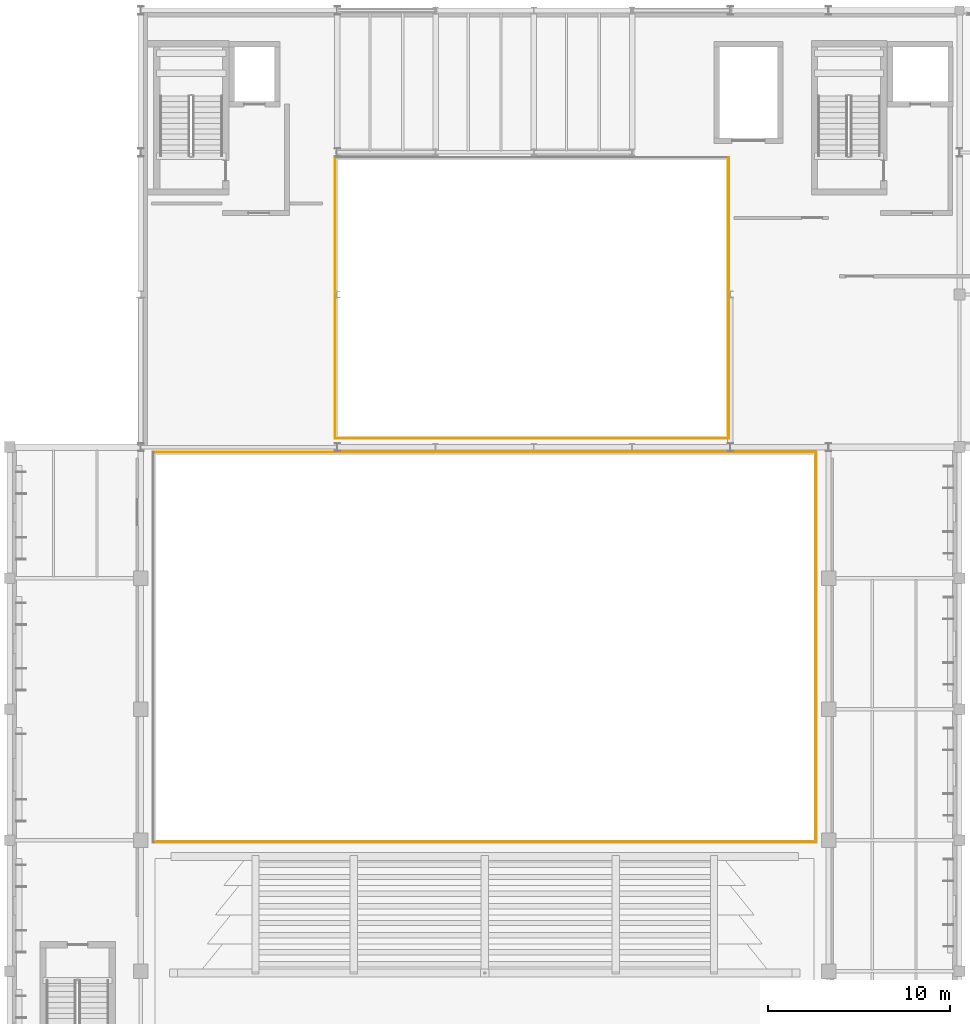
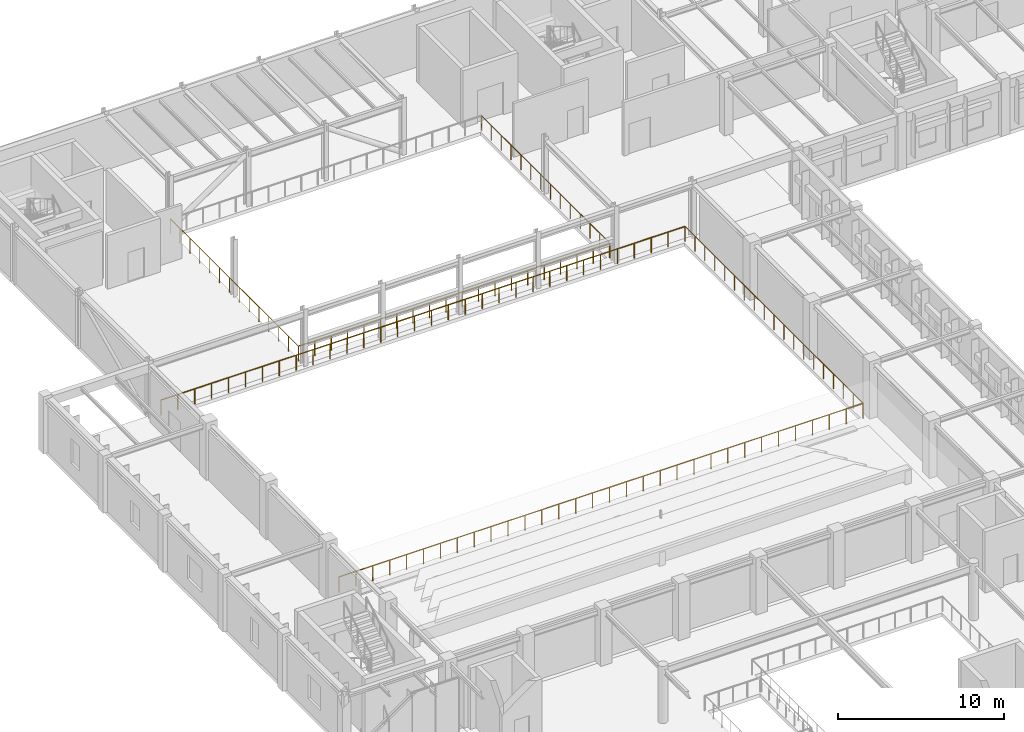
# One storey, part 99 of 104: 6 railings.
"""IFC4 building model written with IfcOpenShell, lengths in metres."""

from ifc_helpers import new_model, si_unit, direction, frame, origin, origin_2d, place, context, subcontext, project, spatial, circle, extrude, material, material_profile, profile_set, type_object, element, save


model = new_model("IFC4")

# Units and contexts
model_context = context("Model", 3, precision=1e-05, world=origin(), true_north=direction((0.0, 1.0)))
body_context = subcontext(model_context, "Body", "Model", "MODEL_VIEW")
ifc_project = project(units=[si_unit("LENGTHUNIT", "METRE"), si_unit("AREAUNIT", "SQUARE_METRE"), si_unit("VOLUMEUNIT", "CUBIC_METRE"), si_unit("PLANEANGLEUNIT", "RADIAN"), si_unit("MASSUNIT", "GRAM", prefix="KILO")], contexts=[model_context])

# Site, building, storey
site_placement = place(None, origin())
site = spatial("IfcSite", under=ifc_project, at=site_placement, CompositionType="ELEMENT")
building_placement = place(site_placement, origin())
building = spatial("IfcBuilding", under=site, at=building_placement, Name="Tazoul Stagehouse", CompositionType="ELEMENT")
storey_placement = place(building_placement, frame((0.0, 0.0, 9.0)))
storey = spatial("IfcBuildingStorey", under=building, at=storey_placement, Name="L02", CompositionType="ELEMENT", Elevation=9.0)

# Railings
ifc_material = material(Name="Brushed Stainless Steel 316L", Category="steel")
ifc_material_profile = material_profile(ifc_material, circle(Radius=0.02392578125, at=origin_2d()), Name="SS RAIL D48")
ifc_profile_set = profile_set([ifc_material_profile], Name="Brushed Stainless Steel 316L")
railing_type = type_object("IfcRailingType", Name="Architectural Guardrail H1120", PredefinedType="GUARDRAIL", material=ifc_profile_set)
railing_1_placement = place(storey_placement, frame((58.280029296875, 66.080078125, 0.0)))
element("IfcRailing", 1, at=railing_1_placement, inside=storey, type_object=railing_type, Name="L02 Open-Edge Guard GRD-01 (GRD-VOID1-S1)", PredefinedType="GUARDRAIL", context=body_context, shape_type="SweptSolid", body=[
    extrude(circle(Radius=0.02392578125, at=origin_2d()), frame((0.0, 0.0, 1.09619140625), z_axis=(1.0, 0.0, 0.0), x_axis=(0.0, 1.0, 0.0)), (0.0, 0.0, 1.0), 36.43994140625),
    extrude(circle(Radius=0.02099609375, at=origin_2d()), origin(), (0.0, 0.0, 1.0), 1.072021484375),
    extrude(circle(Radius=0.02099609375, at=origin_2d()), frame((1.175537109375, 0.0, 0.0)), (0.0, 0.0, 1.0), 1.072021484375),
    extrude(circle(Radius=0.02099609375, at=origin_2d()), frame((2.35107421875, 0.0, 0.0)), (0.0, 0.0, 1.0), 1.072021484375),
    extrude(circle(Radius=0.02099609375, at=origin_2d()), frame((3.5263671875, 0.0, 0.0)), (0.0, 0.0, 1.0), 1.072021484375),
    extrude(circle(Radius=0.02099609375, at=origin_2d()), frame((4.701904296875, 0.0, 0.0)), (0.0, 0.0, 1.0), 1.072021484375),
    extrude(circle(Radius=0.02099609375, at=origin_2d()), frame((5.87744140625, 0.0, 0.0)), (0.0, 0.0, 1.0), 1.072021484375),
    extrude(circle(Radius=0.02099609375, at=origin_2d()), frame((7.052978515625, 0.0, 0.0)), (0.0, 0.0, 1.0), 1.072021484375),
    extrude(circle(Radius=0.02099609375, at=origin_2d()), frame((8.228271484375, 0.0, 0.0)), (0.0, 0.0, 1.0), 1.072021484375),
    extrude(circle(Radius=0.02099609375, at=origin_2d()), frame((9.40380859375, 0.0, 0.0)), (0.0, 0.0, 1.0), 1.072021484375),
    extrude(circle(Radius=0.02099609375, at=origin_2d()), frame((10.579345703125, 0.0, 0.0)), (0.0, 0.0, 1.0), 1.072021484375),
    extrude(circle(Radius=0.02099609375, at=origin_2d()), frame((11.7548828125, 0.0, 0.0)), (0.0, 0.0, 1.0), 1.072021484375),
    extrude(circle(Radius=0.02099609375, at=origin_2d()), frame((12.930419921875, 0.0, 0.0)), (0.0, 0.0, 1.0), 1.072021484375),
    extrude(circle(Radius=0.02099609375, at=origin_2d()), frame((14.105712890625, 0.0, 0.0)), (0.0, 0.0, 1.0), 1.072021484375),
    extrude(circle(Radius=0.02099609375, at=origin_2d()), frame((15.28125, 0.0, 0.0)), (0.0, 0.0, 1.0), 1.072021484375),
    extrude(circle(Radius=0.02099609375, at=origin_2d()), frame((16.456787109375, 0.0, 0.0)), (0.0, 0.0, 1.0), 1.072021484375),
    extrude(circle(Radius=0.02099609375, at=origin_2d()), frame((17.63232421875, 0.0, 0.0)), (0.0, 0.0, 1.0), 1.072021484375),
    extrude(circle(Radius=0.02099609375, at=origin_2d()), frame((18.8076171875, 0.0, 0.0)), (0.0, 0.0, 1.0), 1.072021484375),
    extrude(circle(Radius=0.02099609375, at=origin_2d()), frame((19.983154296875, 0.0, 0.0)), (0.0, 0.0, 1.0), 1.072021484375),
    extrude(circle(Radius=0.02099609375, at=origin_2d()), frame((21.15869140625, 0.0, 0.0)), (0.0, 0.0, 1.0), 1.072021484375),
    extrude(circle(Radius=0.02099609375, at=origin_2d()), frame((22.334228515625, 0.0, 0.0)), (0.0, 0.0, 1.0), 1.072021484375),
    extrude(circle(Radius=0.02099609375, at=origin_2d()), frame((23.509521484375, 0.0, 0.0)), (0.0, 0.0, 1.0), 1.072021484375),
    extrude(circle(Radius=0.02099609375, at=origin_2d()), frame((24.68505859375, 0.0, 0.0)), (0.0, 0.0, 1.0), 1.072021484375),
    extrude(circle(Radius=0.02099609375, at=origin_2d()), frame((25.860595703125, 0.0, 0.0)), (0.0, 0.0, 1.0), 1.072021484375),
    extrude(circle(Radius=0.02099609375, at=origin_2d()), frame((27.0361328125, 0.0, 0.0)), (0.0, 0.0, 1.0), 1.072021484375),
    extrude(circle(Radius=0.02099609375, at=origin_2d()), frame((28.211669921875, 0.0, 0.0)), (0.0, 0.0, 1.0), 1.072021484375),
    extrude(circle(Radius=0.02099609375, at=origin_2d()), frame((29.386962890625, 0.0, 0.0)), (0.0, 0.0, 1.0), 1.072021484375),
    extrude(circle(Radius=0.02099609375, at=origin_2d()), frame((30.5625, 0.0, 0.0)), (0.0, 0.0, 1.0), 1.072021484375),
    extrude(circle(Radius=0.02099609375, at=origin_2d()), frame((31.738037109375, 0.0, 0.0)), (0.0, 0.0, 1.0), 1.072021484375),
    extrude(circle(Radius=0.02099609375, at=origin_2d()), frame((32.91357421875, 0.0, 0.0)), (0.0, 0.0, 1.0), 1.072021484375),
    extrude(circle(Radius=0.02099609375, at=origin_2d()), frame((34.0888671875, 0.0, 0.0)), (0.0, 0.0, 1.0), 1.072021484375),
    extrude(circle(Radius=0.02099609375, at=origin_2d()), frame((35.264404296875, 0.0, 0.0)), (0.0, 0.0, 1.0), 1.072021484375),
    extrude(circle(Radius=0.02099609375, at=origin_2d()), frame((36.43994140625, 0.0, 0.0)), (0.0, 0.0, 1.0), 1.072021484375),
])
railing_2_placement = place(storey_placement, frame((94.719970703125, 66.080078125, 0.0)))
element("IfcRailing", 2, at=railing_2_placement, inside=storey, type_object=railing_type, Name="L02 Open-Edge Guard GRD-01 (GRD-VOID1-E1)", PredefinedType="GUARDRAIL", context=body_context, shape_type="SweptSolid", body=[
    extrude(circle(Radius=0.02392578125, at=origin_2d()), frame((0.0, 0.0, 1.09619140625), z_axis=(0.0, 1.0, 0.0), x_axis=(-1.0, 0.0, 0.0)), (0.0, 0.0, 1.0), 21.43994140625),
    extrude(circle(Radius=0.02099609375, at=origin_2d()), origin(), (0.0, 0.0, 1.0), 1.072021484375),
    extrude(circle(Radius=0.02099609375, at=origin_2d()), frame((0.0, 1.191162109375, 0.0)), (0.0, 0.0, 1.0), 1.072021484375),
    extrude(circle(Radius=0.02099609375, at=origin_2d()), frame((0.0, 2.38232421875, 0.0)), (0.0, 0.0, 1.0), 1.072021484375),
    extrude(circle(Radius=0.02099609375, at=origin_2d()), frame((0.0, 3.5732421875, 0.0)), (0.0, 0.0, 1.0), 1.072021484375),
    extrude(circle(Radius=0.02099609375, at=origin_2d()), frame((0.0, 4.764404296875, 0.0)), (0.0, 0.0, 1.0), 1.072021484375),
    extrude(circle(Radius=0.02099609375, at=origin_2d()), frame((0.0, 5.95556640625, 0.0)), (0.0, 0.0, 1.0), 1.072021484375),
    extrude(circle(Radius=0.02099609375, at=origin_2d()), frame((0.0, 7.146728515625, 0.0)), (0.0, 0.0, 1.0), 1.072021484375),
    extrude(circle(Radius=0.02099609375, at=origin_2d()), frame((0.0, 8.337646484375, 0.0)), (0.0, 0.0, 1.0), 1.072021484375),
    extrude(circle(Radius=0.02099609375, at=origin_2d()), frame((0.0, 9.52880859375, 0.0)), (0.0, 0.0, 1.0), 1.072021484375),
    extrude(circle(Radius=0.02099609375, at=origin_2d()), frame((0.0, 10.719970703125, 0.0)), (0.0, 0.0, 1.0), 1.072021484375),
    extrude(circle(Radius=0.02099609375, at=origin_2d()), frame((0.0, 11.9111328125, 0.0)), (0.0, 0.0, 1.0), 1.072021484375),
    extrude(circle(Radius=0.02099609375, at=origin_2d()), frame((0.0, 13.102294921875, 0.0)), (0.0, 0.0, 1.0), 1.072021484375),
    extrude(circle(Radius=0.02099609375, at=origin_2d()), frame((0.0, 14.293212890625, 0.0)), (0.0, 0.0, 1.0), 1.072021484375),
    extrude(circle(Radius=0.02099609375, at=origin_2d()), frame((0.0, 15.484375, 0.0)), (0.0, 0.0, 1.0), 1.072021484375),
    extrude(circle(Radius=0.02099609375, at=origin_2d()), frame((0.0, 16.675537109375, 0.0)), (0.0, 0.0, 1.0), 1.072021484375),
    extrude(circle(Radius=0.02099609375, at=origin_2d()), frame((0.0, 17.86669921875, 0.0)), (0.0, 0.0, 1.0), 1.072021484375),
    extrude(circle(Radius=0.02099609375, at=origin_2d()), frame((0.0, 19.0576171875, 0.0)), (0.0, 0.0, 1.0), 1.072021484375),
    extrude(circle(Radius=0.02099609375, at=origin_2d()), frame((0.0, 20.248779296875, 0.0)), (0.0, 0.0, 1.0), 1.072021484375),
    extrude(circle(Radius=0.02099609375, at=origin_2d()), frame((0.0, 21.43994140625, 0.0)), (0.0, 0.0, 1.0), 1.072021484375),
])
railing_3_placement = place(storey_placement, frame((94.719970703125, 87.52001953125, 0.0)))
element("IfcRailing", 3, at=railing_3_placement, inside=storey, type_object=railing_type, Name="L02 Open-Edge Guard GRD-01 (GRD-VOID1-N1)", PredefinedType="GUARDRAIL", context=body_context, shape_type="SweptSolid", body=[
    extrude(circle(Radius=0.02392578125, at=origin_2d()), frame((0.0, 0.0, 1.09619140625), z_axis=(-1.0, 0.0, 0.0), x_axis=(0.0, -1.0, 0.0)), (0.0, 0.0, 1.0), 36.43994140625),
    extrude(circle(Radius=0.02099609375, at=origin_2d()), origin(), (0.0, 0.0, 1.0), 1.072021484375),
    extrude(circle(Radius=0.02099609375, at=origin_2d()), frame((-1.175537109375, 0.0, 0.0)), (0.0, 0.0, 1.0), 1.072021484375),
    extrude(circle(Radius=0.02099609375, at=origin_2d()), frame((-2.35107421875, 0.0, 0.0)), (0.0, 0.0, 1.0), 1.072021484375),
    extrude(circle(Radius=0.02099609375, at=origin_2d()), frame((-3.5263671875, 0.0, 0.0)), (0.0, 0.0, 1.0), 1.072021484375),
    extrude(circle(Radius=0.02099609375, at=origin_2d()), frame((-4.701904296875, 0.0, 0.0)), (0.0, 0.0, 1.0), 1.072021484375),
    extrude(circle(Radius=0.02099609375, at=origin_2d()), frame((-5.87744140625, 0.0, 0.0)), (0.0, 0.0, 1.0), 1.072021484375),
    extrude(circle(Radius=0.02099609375, at=origin_2d()), frame((-7.052978515625, 0.0, 0.0)), (0.0, 0.0, 1.0), 1.072021484375),
    extrude(circle(Radius=0.02099609375, at=origin_2d()), frame((-8.228271484375, 0.0, 0.0)), (0.0, 0.0, 1.0), 1.072021484375),
    extrude(circle(Radius=0.02099609375, at=origin_2d()), frame((-9.40380859375, 0.0, 0.0)), (0.0, 0.0, 1.0), 1.072021484375),
    extrude(circle(Radius=0.02099609375, at=origin_2d()), frame((-10.579345703125, 0.0, 0.0)), (0.0, 0.0, 1.0), 1.072021484375),
    extrude(circle(Radius=0.02099609375, at=origin_2d()), frame((-11.7548828125, 0.0, 0.0)), (0.0, 0.0, 1.0), 1.072021484375),
    extrude(circle(Radius=0.02099609375, at=origin_2d()), frame((-12.930419921875, 0.0, 0.0)), (0.0, 0.0, 1.0), 1.072021484375),
    extrude(circle(Radius=0.02099609375, at=origin_2d()), frame((-14.105712890625, 0.0, 0.0)), (0.0, 0.0, 1.0), 1.072021484375),
    extrude(circle(Radius=0.02099609375, at=origin_2d()), frame((-15.28125, 0.0, 0.0)), (0.0, 0.0, 1.0), 1.072021484375),
    extrude(circle(Radius=0.02099609375, at=origin_2d()), frame((-16.456787109375, 0.0, 0.0)), (0.0, 0.0, 1.0), 1.072021484375),
    extrude(circle(Radius=0.02099609375, at=origin_2d()), frame((-17.63232421875, 0.0, 0.0)), (0.0, 0.0, 1.0), 1.072021484375),
    extrude(circle(Radius=0.02099609375, at=origin_2d()), frame((-18.8076171875, 0.0, 0.0)), (0.0, 0.0, 1.0), 1.072021484375),
    extrude(circle(Radius=0.02099609375, at=origin_2d()), frame((-19.983154296875, 0.0, 0.0)), (0.0, 0.0, 1.0), 1.072021484375),
    extrude(circle(Radius=0.02099609375, at=origin_2d()), frame((-21.15869140625, 0.0, 0.0)), (0.0, 0.0, 1.0), 1.072021484375),
    extrude(circle(Radius=0.02099609375, at=origin_2d()), frame((-22.334228515625, 0.0, 0.0)), (0.0, 0.0, 1.0), 1.072021484375),
    extrude(circle(Radius=0.02099609375, at=origin_2d()), frame((-23.509521484375, 0.0, 0.0)), (0.0, 0.0, 1.0), 1.072021484375),
    extrude(circle(Radius=0.02099609375, at=origin_2d()), frame((-24.68505859375, 0.0, 0.0)), (0.0, 0.0, 1.0), 1.072021484375),
    extrude(circle(Radius=0.02099609375, at=origin_2d()), frame((-25.860595703125, 0.0, 0.0)), (0.0, 0.0, 1.0), 1.072021484375),
    extrude(circle(Radius=0.02099609375, at=origin_2d()), frame((-27.0361328125, 0.0, 0.0)), (0.0, 0.0, 1.0), 1.072021484375),
    extrude(circle(Radius=0.02099609375, at=origin_2d()), frame((-28.211669921875, 0.0, 0.0)), (0.0, 0.0, 1.0), 1.072021484375),
    extrude(circle(Radius=0.02099609375, at=origin_2d()), frame((-29.386962890625, 0.0, 0.0)), (0.0, 0.0, 1.0), 1.072021484375),
    extrude(circle(Radius=0.02099609375, at=origin_2d()), frame((-30.5625, 0.0, 0.0)), (0.0, 0.0, 1.0), 1.072021484375),
    extrude(circle(Radius=0.02099609375, at=origin_2d()), frame((-31.738037109375, 0.0, 0.0)), (0.0, 0.0, 1.0), 1.072021484375),
    extrude(circle(Radius=0.02099609375, at=origin_2d()), frame((-32.91357421875, 0.0, 0.0)), (0.0, 0.0, 1.0), 1.072021484375),
    extrude(circle(Radius=0.02099609375, at=origin_2d()), frame((-34.0888671875, 0.0, 0.0)), (0.0, 0.0, 1.0), 1.072021484375),
    extrude(circle(Radius=0.02099609375, at=origin_2d()), frame((-35.264404296875, 0.0, 0.0)), (0.0, 0.0, 1.0), 1.072021484375),
    extrude(circle(Radius=0.02099609375, at=origin_2d()), frame((-36.43994140625, 0.0, 0.0)), (0.0, 0.0, 1.0), 1.072021484375),
])
railing_4_placement = place(storey_placement, frame((68.280029296875, 88.280029296875, 0.0)))
element("IfcRailing", 4, at=railing_4_placement, inside=storey, type_object=railing_type, Name="L02 Open-Edge Guard GRD-01 (GRD-VOID2-S1)", PredefinedType="GUARDRAIL", context=body_context, shape_type="SweptSolid", body=[
    extrude(circle(Radius=0.02392578125, at=origin_2d()), frame((0.0, 0.0, 1.09619140625), z_axis=(1.0, 0.0, 0.0), x_axis=(0.0, 1.0, 0.0)), (0.0, 0.0, 1.0), 21.639892578125),
    extrude(circle(Radius=0.02099609375, at=origin_2d()), origin(), (0.0, 0.0, 1.0), 1.072021484375),
    extrude(circle(Radius=0.02099609375, at=origin_2d()), frame((1.138916015625, 0.0, 0.0)), (0.0, 0.0, 1.0), 1.072021484375),
    extrude(circle(Radius=0.02099609375, at=origin_2d()), frame((2.27783203125, 0.0, 0.0)), (0.0, 0.0, 1.0), 1.072021484375),
    extrude(circle(Radius=0.02099609375, at=origin_2d()), frame((3.416748046875, 0.0, 0.0)), (0.0, 0.0, 1.0), 1.072021484375),
    extrude(circle(Radius=0.02099609375, at=origin_2d()), frame((4.5556640625, 0.0, 0.0)), (0.0, 0.0, 1.0), 1.072021484375),
    extrude(circle(Radius=0.02099609375, at=origin_2d()), frame((5.69482421875, 0.0, 0.0)), (0.0, 0.0, 1.0), 1.072021484375),
    extrude(circle(Radius=0.02099609375, at=origin_2d()), frame((6.833740234375, 0.0, 0.0)), (0.0, 0.0, 1.0), 1.072021484375),
    extrude(circle(Radius=0.02099609375, at=origin_2d()), frame((7.97265625, 0.0, 0.0)), (0.0, 0.0, 1.0), 1.072021484375),
    extrude(circle(Radius=0.02099609375, at=origin_2d()), frame((9.111572265625, 0.0, 0.0)), (0.0, 0.0, 1.0), 1.072021484375),
    extrude(circle(Radius=0.02099609375, at=origin_2d()), frame((10.25048828125, 0.0, 0.0)), (0.0, 0.0, 1.0), 1.072021484375),
    extrude(circle(Radius=0.02099609375, at=origin_2d()), frame((11.389404296875, 0.0, 0.0)), (0.0, 0.0, 1.0), 1.072021484375),
    extrude(circle(Radius=0.02099609375, at=origin_2d()), frame((12.5283203125, 0.0, 0.0)), (0.0, 0.0, 1.0), 1.072021484375),
    extrude(circle(Radius=0.02099609375, at=origin_2d()), frame((13.667236328125, 0.0, 0.0)), (0.0, 0.0, 1.0), 1.072021484375),
    extrude(circle(Radius=0.02099609375, at=origin_2d()), frame((14.80615234375, 0.0, 0.0)), (0.0, 0.0, 1.0), 1.072021484375),
    extrude(circle(Radius=0.02099609375, at=origin_2d()), frame((15.945068359375, 0.0, 0.0)), (0.0, 0.0, 1.0), 1.072021484375),
    extrude(circle(Radius=0.02099609375, at=origin_2d()), frame((17.084228515625, 0.0, 0.0)), (0.0, 0.0, 1.0), 1.072021484375),
    extrude(circle(Radius=0.02099609375, at=origin_2d()), frame((18.22314453125, 0.0, 0.0)), (0.0, 0.0, 1.0), 1.072021484375),
    extrude(circle(Radius=0.02099609375, at=origin_2d()), frame((19.362060546875, 0.0, 0.0)), (0.0, 0.0, 1.0), 1.072021484375),
    extrude(circle(Radius=0.02099609375, at=origin_2d()), frame((20.5009765625, 0.0, 0.0)), (0.0, 0.0, 1.0), 1.072021484375),
    extrude(circle(Radius=0.02099609375, at=origin_2d()), frame((21.639892578125, 0.0, 0.0)), (0.0, 0.0, 1.0), 1.072021484375),
])
railing_5_placement = place(storey_placement, frame((89.919921875, 88.280029296875, 0.0)))
element("IfcRailing", 5, at=railing_5_placement, inside=storey, type_object=railing_type, Name="L02 Open-Edge Guard GRD-01 (GRD-VOID2-E1)", PredefinedType="GUARDRAIL", context=body_context, shape_type="SweptSolid", body=[
    extrude(circle(Radius=0.02392578125, at=origin_2d()), frame((0.0, 0.0, 1.09619140625), z_axis=(0.0, 1.0, 0.0), x_axis=(-1.0, 0.0, 0.0)), (0.0, 0.0, 1.0), 15.43994140625),
    extrude(circle(Radius=0.02099609375, at=origin_2d()), origin(), (0.0, 0.0, 1.0), 1.072021484375),
    extrude(circle(Radius=0.02099609375, at=origin_2d()), frame((0.0, 1.187744140625, 0.0)), (0.0, 0.0, 1.0), 1.072021484375),
    extrude(circle(Radius=0.02099609375, at=origin_2d()), frame((0.0, 2.37548828125, 0.0)), (0.0, 0.0, 1.0), 1.072021484375),
    extrude(circle(Radius=0.02099609375, at=origin_2d()), frame((0.0, 3.56298828125, 0.0)), (0.0, 0.0, 1.0), 1.072021484375),
    extrude(circle(Radius=0.02099609375, at=origin_2d()), frame((0.0, 4.750732421875, 0.0)), (0.0, 0.0, 1.0), 1.072021484375),
    extrude(circle(Radius=0.02099609375, at=origin_2d()), frame((0.0, 5.9384765625, 0.0)), (0.0, 0.0, 1.0), 1.072021484375),
    extrude(circle(Radius=0.02099609375, at=origin_2d()), frame((0.0, 7.126220703125, 0.0)), (0.0, 0.0, 1.0), 1.072021484375),
    extrude(circle(Radius=0.02099609375, at=origin_2d()), frame((0.0, 8.313720703125, 0.0)), (0.0, 0.0, 1.0), 1.072021484375),
    extrude(circle(Radius=0.02099609375, at=origin_2d()), frame((0.0, 9.50146484375, 0.0)), (0.0, 0.0, 1.0), 1.072021484375),
    extrude(circle(Radius=0.02099609375, at=origin_2d()), frame((0.0, 10.689208984375, 0.0)), (0.0, 0.0, 1.0), 1.072021484375),
    extrude(circle(Radius=0.02099609375, at=origin_2d()), frame((0.0, 11.876953125, 0.0)), (0.0, 0.0, 1.0), 1.072021484375),
    extrude(circle(Radius=0.02099609375, at=origin_2d()), frame((0.0, 13.064453125, 0.0)), (0.0, 0.0, 1.0), 1.072021484375),
    extrude(circle(Radius=0.02099609375, at=origin_2d()), frame((0.0, 14.252197265625, 0.0)), (0.0, 0.0, 1.0), 1.072021484375),
    extrude(circle(Radius=0.02099609375, at=origin_2d()), frame((0.0, 15.43994140625, 0.0)), (0.0, 0.0, 1.0), 1.072021484375),
])
railing_6_placement = place(storey_placement, frame((68.280029296875, 103.719970703125, 0.0)))
element("IfcRailing", 6, at=railing_6_placement, inside=storey, type_object=railing_type, Name="L02 Open-Edge Guard GRD-01 (GRD-VOID2-W1)", PredefinedType="GUARDRAIL", context=body_context, shape_type="SweptSolid", body=[
    extrude(circle(Radius=0.02392578125, at=origin_2d()), frame((0.0, 0.0, 1.09619140625), z_axis=(0.0, -1.0, 0.0), x_axis=(1.0, 0.0, 0.0)), (0.0, 0.0, 1.0), 15.43994140625),
    extrude(circle(Radius=0.02099609375, at=origin_2d()), origin(), (0.0, 0.0, 1.0), 1.072021484375),
    extrude(circle(Radius=0.02099609375, at=origin_2d()), frame((0.0, -1.187744140625, 0.0)), (0.0, 0.0, 1.0), 1.072021484375),
    extrude(circle(Radius=0.02099609375, at=origin_2d()), frame((0.0, -2.37548828125, 0.0)), (0.0, 0.0, 1.0), 1.072021484375),
    extrude(circle(Radius=0.02099609375, at=origin_2d()), frame((0.0, -3.56298828125, 0.0)), (0.0, 0.0, 1.0), 1.072021484375),
    extrude(circle(Radius=0.02099609375, at=origin_2d()), frame((0.0, -4.750732421875, 0.0)), (0.0, 0.0, 1.0), 1.072021484375),
    extrude(circle(Radius=0.02099609375, at=origin_2d()), frame((0.0, -5.9384765625, 0.0)), (0.0, 0.0, 1.0), 1.072021484375),
    extrude(circle(Radius=0.02099609375, at=origin_2d()), frame((0.0, -7.126220703125, 0.0)), (0.0, 0.0, 1.0), 1.072021484375),
    extrude(circle(Radius=0.02099609375, at=origin_2d()), frame((0.0, -8.313720703125, 0.0)), (0.0, 0.0, 1.0), 1.072021484375),
    extrude(circle(Radius=0.02099609375, at=origin_2d()), frame((0.0, -9.50146484375, 0.0)), (0.0, 0.0, 1.0), 1.072021484375),
    extrude(circle(Radius=0.02099609375, at=origin_2d()), frame((0.0, -10.689208984375, 0.0)), (0.0, 0.0, 1.0), 1.072021484375),
    extrude(circle(Radius=0.02099609375, at=origin_2d()), frame((0.0, -11.876953125, 0.0)), (0.0, 0.0, 1.0), 1.072021484375),
    extrude(circle(Radius=0.02099609375, at=origin_2d()), frame((0.0, -13.064453125, 0.0)), (0.0, 0.0, 1.0), 1.072021484375),
    extrude(circle(Radius=0.02099609375, at=origin_2d()), frame((0.0, -14.252197265625, 0.0)), (0.0, 0.0, 1.0), 1.072021484375),
    extrude(circle(Radius=0.02099609375, at=origin_2d()), frame((0.0, -15.43994140625, 0.0)), (0.0, 0.0, 1.0), 1.072021484375),
])

save(model, "model.ifc")
